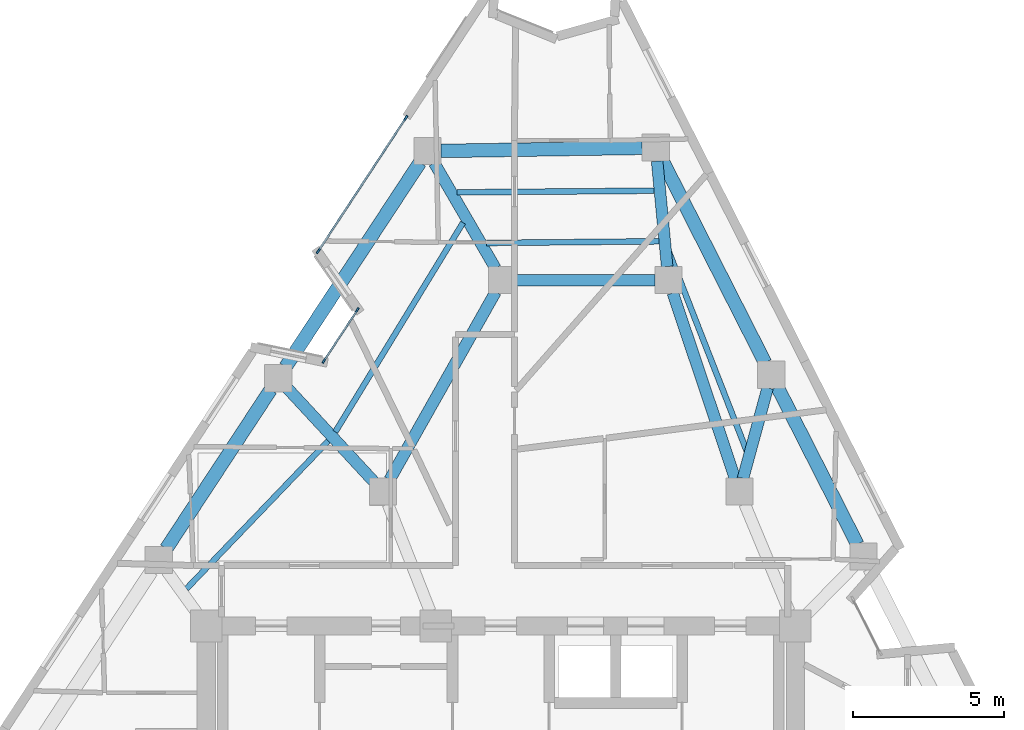
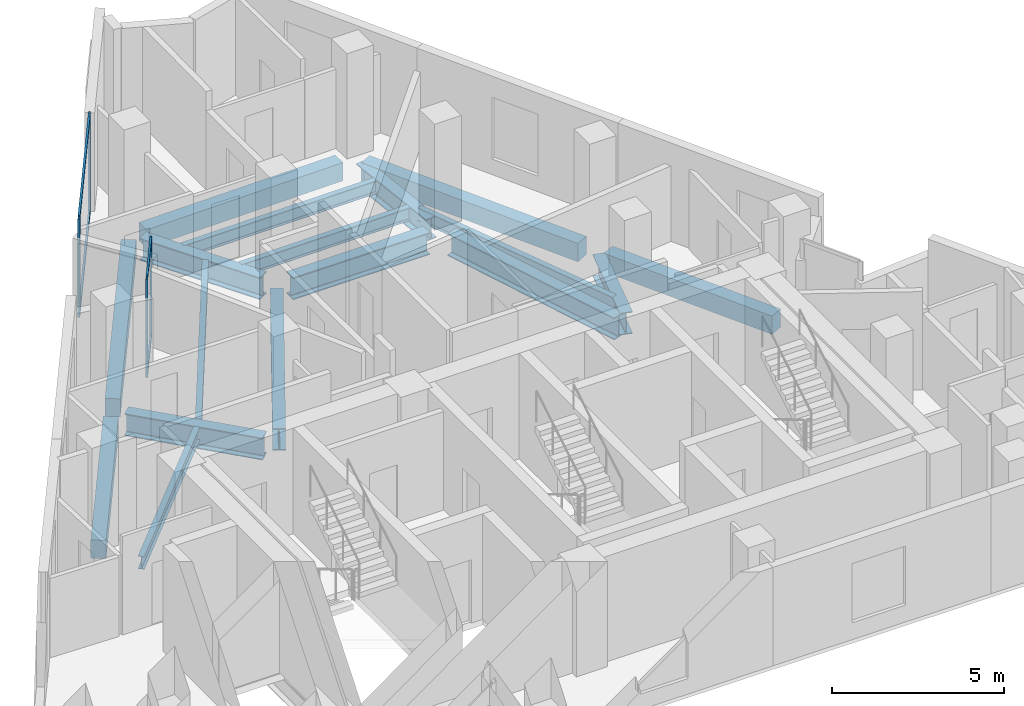
# One storey, part 3 of 10: 17 beams, 8 members, 2 elements without a shape of their own.
"""IFC4 building model written with IfcOpenShell, lengths in metres."""

from ifc_helpers import new_model, si_unit, direction, frame, origin, origin_2d, place, context, subcontext, project, spatial, rectangle, i_section, extrude, material, layer, layer_set, material_profile, profile_set, type_object, element, aggregate, save


model = new_model("IFC4")

# Units and contexts
model_context = context("Model", 3, precision=1e-05, world=origin(), true_north=direction((0.0, 1.0)))
body_context = subcontext(model_context, "Body", "Model", "MODEL_VIEW")
ifc_project = project(units=[si_unit("LENGTHUNIT", "METRE"), si_unit("AREAUNIT", "SQUARE_METRE"), si_unit("VOLUMEUNIT", "CUBIC_METRE"), si_unit("PLANEANGLEUNIT", "RADIAN"), si_unit("MASSUNIT", "GRAM", prefix="KILO")], contexts=[model_context])

# Site, building, storey
site_placement = place(None, origin())
site = spatial("IfcSite", under=ifc_project, at=site_placement, CompositionType="ELEMENT")
building_placement = place(site_placement, origin())
building = spatial("IfcBuilding", under=site, at=building_placement, Name="Almagre Mirador Tower", CompositionType="ELEMENT")
storey_placement = place(building_placement, frame((0.0, 0.0, 233.25)))
storey = spatial("IfcBuildingStorey", under=building, at=storey_placement, Name="L60", CompositionType="ELEMENT", Elevation=233.25)

# Beams
ifc_material_1 = material(Name="Steel ASTM A992 Grade 50", Category="steel")
ifc_material_profile_1 = material_profile(ifc_material_1, i_section(OverallWidth=0.19091796875, OverallDepth=0.4599609375, WebThickness=0.010009765625, FlangeThickness=0.01611328125, FilletRadius=0.01611328125, at=origin_2d()), Name="W18X55")
ifc_profile_set_1 = profile_set([ifc_material_profile_1], Name="Steel ASTM A992 Grade 50")
beam_type_1 = type_object("IfcBeamType", Name="BM-JST-W18X55", PredefinedType="JOIST", material=ifc_profile_set_1)
beam_1_placement = place(storey_placement, frame((45.444091796875, 20.5322265625, -0.47998046875), z_axis=(-0.363918331974, 0.931430860372, 0.0), x_axis=(-0.931430860372, -0.363918331974, 0.0)))
element("IfcBeam", 1, at=beam_1_placement, inside=storey, type_object=beam_type_1, Name="L60 secondary floor joist PC07-PC08.3", PredefinedType="JOIST", context=body_context, shape_type="SweptSolid", body=[
    extrude(i_section(OverallWidth=0.19091796875, OverallDepth=0.4599609375, WebThickness=0.010009765625, FlangeThickness=0.01611328125, FilletRadius=0.01611328125, at=origin_2d()), origin(), (0.0, 0.0, 1.0), 7.27294921875),
])
beam_2_placement = place(storey_placement, frame((42.375732421875, 29.158447265625, -0.47998046875), z_axis=(-0.999965144262, -0.008349267155, 0.0), x_axis=(0.008349267155, -0.999965144262, 0.0)))
element("IfcBeam", 2, at=beam_2_placement, inside=storey, type_object=beam_type_1, Name="L60 secondary floor joist PC08-PC09.1", PredefinedType="JOIST", context=body_context, shape_type="SweptSolid", body=[
    extrude(i_section(OverallWidth=0.19091796875, OverallDepth=0.4599609375, WebThickness=0.010009765625, FlangeThickness=0.01611328125, FilletRadius=0.01611328125, at=origin_2d()), origin(), (0.0, 0.0, 1.0), 6.520751953125),
])
beam_3_placement = place(storey_placement, frame((42.535400390625, 27.4833984375, -0.47998046875), z_axis=(-0.999954079437, -0.009583267608, 0.0), x_axis=(0.009583267608, -0.999954079437, 0.0)))
element("IfcBeam", 3, at=beam_3_placement, inside=storey, type_object=beam_type_1, Name="L60 secondary floor joist PC08-PC09.3", PredefinedType="JOIST", context=body_context, shape_type="SweptSolid", body=[
    extrude(i_section(OverallWidth=0.19091796875, OverallDepth=0.4599609375, WebThickness=0.010009765625, FlangeThickness=0.01611328125, FilletRadius=0.01611328125, at=origin_2d()), origin(), (0.0, 0.0, 1.0), 5.70654296875),
])
beam_4_placement = place(storey_placement, frame((36.050048828125, 28.100830078125, -0.47998046875), z_axis=(-0.521157852897, -0.85346030509, 0.0), x_axis=(0.85346030509, -0.521157852897, 0.0)))
element("IfcBeam", 4, at=beam_4_placement, inside=storey, type_object=beam_type_1, Name="L60 secondary floor joist PC09-PC10.2", PredefinedType="JOIST", context=body_context, shape_type="SweptSolid", body=[
    extrude(i_section(OverallWidth=0.19091796875, OverallDepth=0.4599609375, WebThickness=0.010009765625, FlangeThickness=0.01611328125, FilletRadius=0.01611328125, at=origin_2d()), origin(), (0.0, 0.0, 1.0), 8.11328125),
])
beam_5_placement = place(storey_placement, frame((31.5888671875, 20.874267578125, -0.47998046875), z_axis=(-0.692408884883, -0.721505326478, 0.0), x_axis=(0.721505326478, -0.692408884883, 0.0)))
element("IfcBeam", 5, at=beam_5_placement, inside=storey, type_object=beam_type_1, Name="L60 secondary floor joist PC10-PC11.2", PredefinedType="JOIST", context=body_context, shape_type="SweptSolid", body=[
    extrude(i_section(OverallWidth=0.19091796875, OverallDepth=0.4599609375, WebThickness=0.010009765625, FlangeThickness=0.01611328125, FilletRadius=0.01611328125, at=origin_2d()), origin(), (0.0, 0.0, 1.0), 6.77978515625),
])
ifc_material_2 = material(Name="Precast concrete C50/60", Category="concrete")
ifc_material_profile_2 = material_profile(ifc_material_2, rectangle(XDim=0.449951171875, YDim=0.64990234375, at=origin_2d()), Name="RC450X650")
ifc_profile_set_2 = profile_set([ifc_material_profile_2], Name="Precast concrete C50/60")
beam_type_2 = type_object("IfcBeamType", Name="BM-SPN-RC450X650", PredefinedType="SPANDREL", material=ifc_profile_set_2)
beam_6_placement = place(storey_placement, frame((49.104248046875, 17.4501953125, -0.574951171875), z_axis=(-0.452899170526, 0.891561742863, 0.0), x_axis=(-0.891561742863, -0.452899170526, 0.0)))
element("IfcBeam", 6, at=beam_6_placement, inside=storey, type_object=beam_type_2, Name="L60 perimeter spandrel beam PC06-PC07", PredefinedType="SPANDREL", context=body_context, shape_type="SweptSolid", body=[
    extrude(rectangle(XDim=0.449951171875, YDim=0.64990234375, at=origin_2d()), origin(), (0.0, 0.0, 1.0), 5.84765625),
])
beam_7_placement = place(storey_placement, frame((46.048095703125, 23.46630859375, -0.574951171875), z_axis=(-0.452894484788, 0.891564123128, 0.0), x_axis=(-0.891564123128, -0.452894484788, 0.0)))
element("IfcBeam", 7, at=beam_7_placement, inside=storey, type_object=beam_type_2, Name="L60 perimeter spandrel beam PC07-PC08", PredefinedType="SPANDREL", context=body_context, shape_type="SweptSolid", body=[
    extrude(rectangle(XDim=0.449951171875, YDim=0.64990234375, at=origin_2d()), origin(), (0.0, 0.0, 1.0), 7.534423828125),
])
beam_8_placement = place(storey_placement, frame((41.982177734375, 30.578125, -0.574951171875), z_axis=(-0.999882180075, -0.015350112976, 0.0), x_axis=(0.015350112976, -0.999882180075, 0.0)))
element("IfcBeam", 8, at=beam_8_placement, inside=storey, type_object=beam_type_2, Name="L60 perimeter spandrel beam PC08-PC09", PredefinedType="SPANDREL", context=body_context, shape_type="SweptSolid", body=[
    extrude(rectangle(XDim=0.449951171875, YDim=0.64990234375, at=origin_2d()), origin(), (0.0, 0.0, 1.0), 6.6640625),
])
beam_9_placement = place(storey_placement, frame((34.621826171875, 30.093017578125, -0.574951171875), z_axis=(-0.54903769876, -0.835797586345, 0.0), x_axis=(0.835797586345, -0.54903769876, 0.0)))
element("IfcBeam", 9, at=beam_9_placement, inside=storey, type_object=beam_type_2, Name="L60 perimeter spandrel beam PC09-PC10", PredefinedType="SPANDREL", context=body_context, shape_type="SweptSolid", body=[
    extrude(rectangle(XDim=0.449951171875, YDim=0.64990234375, at=origin_2d()), origin(), (0.0, 0.0, 1.0), 8.097412109375),
])
beam_10_placement = place(storey_placement, frame((29.681884765625, 22.572998046875, -0.574951171875), z_axis=(-0.549024719226, -0.835806112492, 0.0), x_axis=(0.835806112492, -0.549024719226, 0.0)))
element("IfcBeam", 10, at=beam_10_placement, inside=storey, type_object=beam_type_2, Name="L60 perimeter spandrel beam PC10-PC11", PredefinedType="SPANDREL", context=body_context, shape_type="SweptSolid", body=[
    extrude(rectangle(XDim=0.449951171875, YDim=0.64990234375, at=origin_2d()), origin(), (0.0, 0.0, 1.0), 6.298095703125),
])
ifc_material_3 = material(Name="Steel ASTM A992 Grade 50", Category="steel")
ifc_material_profile_3 = material_profile(ifc_material_3, i_section(OverallWidth=0.384033203125, OverallDepth=0.784912109375, WebThickness=0.019775390625, FlangeThickness=0.033447265625, FilletRadius=0.02392578125, at=origin_2d()), Name="W30X211")
ifc_profile_set_3 = profile_set([ifc_material_profile_3], Name="Steel ASTM A992 Grade 50")
beam_type_3 = type_object("IfcBeamType", Name="BM-STL-W30X211", PredefinedType="BEAM", material=ifc_profile_set_3)
beam_11_placement = place(storey_placement, frame((37.800048828125, 26.199951171875, -0.642578125), z_axis=(1.0, 0.0, 0.0), x_axis=(0.0, 1.0, 0.0)))
element("IfcBeam", 11, at=beam_11_placement, inside=storey, type_object=beam_type_3, Name="L60 core tie girder MC7-MC6", PredefinedType="BEAM", context=body_context, shape_type="SweptSolid", body=[
    extrude(i_section(OverallWidth=0.384033203125, OverallDepth=0.784912109375, WebThickness=0.019775390625, FlangeThickness=0.033447265625, FilletRadius=0.02392578125, at=origin_2d()), origin(), (0.0, 0.0, 1.0), 4.599853515625),
])
beam_12_placement = place(storey_placement, frame((42.9931640625, 25.7734375, -0.642578125), z_axis=(0.318282890726, -0.947995781357, 0.0), x_axis=(0.947995781357, 0.318282890726, 0.0)))
element("IfcBeam", 12, at=beam_12_placement, inside=storey, type_object=beam_type_3, Name="L60 core tie girder MC6-MC5", PredefinedType="BEAM", context=body_context, shape_type="SweptSolid", body=[
    extrude(i_section(OverallWidth=0.384033203125, OverallDepth=0.784912109375, WebThickness=0.019775390625, FlangeThickness=0.033447265625, FilletRadius=0.02392578125, at=origin_2d()), origin(), (0.0, 0.0, 1.0), 6.48388671875),
])
beam_13_placement = place(storey_placement, frame((37.12890625, 25.80810546875, -0.642578125), z_axis=(-0.491446261843, -0.870907900825, 0.0), x_axis=(0.870907900825, -0.491446261843, 0.0)))
element("IfcBeam", 13, at=beam_13_placement, inside=storey, type_object=beam_type_3, Name="L60 core tie girder MC7-MC8", PredefinedType="BEAM", context=body_context, shape_type="SweptSolid", body=[
    extrude(i_section(OverallWidth=0.384033203125, OverallDepth=0.784912109375, WebThickness=0.019775390625, FlangeThickness=0.033447265625, FilletRadius=0.02392578125, at=origin_2d()), origin(), (0.0, 0.0, 1.0), 7.1376953125),
])
beam_14_placement = place(storey_placement, frame((46.1337890625, 22.630859375, -0.642578125), z_axis=(-0.26264509324, -0.964892509556, 0.0), x_axis=(0.964892509556, -0.26264509324, 0.0)))
element("IfcBeam", 14, at=beam_14_placement, inside=storey, type_object=beam_type_3, Name="L60 radial floor girder PC07-MC5", PredefinedType="BEAM", context=body_context, shape_type="SweptSolid", body=[
    extrude(i_section(OverallWidth=0.384033203125, OverallDepth=0.784912109375, WebThickness=0.019775390625, FlangeThickness=0.033447265625, FilletRadius=0.02392578125, at=origin_2d()), origin(), (0.0, 0.0, 1.0), 3.105712890625),
])
beam_15_placement = place(storey_placement, frame((42.474609375, 30.136962890625, -0.642578125), z_axis=(0.094943868269, -0.995482627612, 0.0), x_axis=(0.995482627612, 0.094943868269, 0.0)))
element("IfcBeam", 15, at=beam_15_placement, inside=storey, type_object=beam_type_3, Name="L60 radial floor girder PC08-MC6", PredefinedType="BEAM", context=body_context, shape_type="SweptSolid", body=[
    extrude(i_section(OverallWidth=0.384033203125, OverallDepth=0.784912109375, WebThickness=0.019775390625, FlangeThickness=0.033447265625, FilletRadius=0.02392578125, at=origin_2d()), origin(), (0.0, 0.0, 1.0), 3.5048828125),
])
beam_16_placement = place(storey_placement, frame((35.09521484375, 30.079833984375, -0.642578125), z_axis=(0.502449130804, -0.864606772443, 0.0), x_axis=(0.864606772443, 0.502449130804, 0.0)))
element("IfcBeam", 16, at=beam_16_placement, inside=storey, type_object=beam_type_3, Name="L60 radial floor girder PC09-MC7", PredefinedType="BEAM", context=body_context, shape_type="SweptSolid", body=[
    extrude(i_section(OverallWidth=0.384033203125, OverallDepth=0.784912109375, WebThickness=0.019775390625, FlangeThickness=0.033447265625, FilletRadius=0.02392578125, at=origin_2d()), origin(), (0.0, 0.0, 1.0), 4.037353515625),
])
beam_17_placement = place(storey_placement, frame((30.234619140625, 22.618896484375, -0.642578125), z_axis=(0.679380272184, -0.733786376112, 0.0), x_axis=(0.733786376112, 0.679380272184, 0.0)))
element("IfcBeam", 17, at=beam_17_placement, inside=storey, type_object=beam_type_3, Name="L60 radial floor girder PC10-MC8", PredefinedType="BEAM", context=body_context, shape_type="SweptSolid", body=[
    extrude(i_section(OverallWidth=0.384033203125, OverallDepth=0.784912109375, WebThickness=0.019775390625, FlangeThickness=0.033447265625, FilletRadius=0.02392578125, at=origin_2d()), origin(), (0.0, 0.0, 1.0), 4.209228515625),
])

# Curtain wall, members
ifc_material_4 = material(Name="Black anodized aluminium", Category="aluminium")
ifc_layer_1 = layer(ifc_material_4, 0.169921875)
ifc_layer_set_1 = layer_set([ifc_layer_1], Name="Black anodized aluminium")
curtain_wall_type_1 = type_object("IfcCurtainWallType", Name="CW-CRS-SYS", PredefinedType="NOTDEFINED", material=ifc_layer_set_1)
curtain_wall_1_placement = place(storey_placement, origin())
curtain_wall_1 = element("IfcCurtainWall", 18, at=curtain_wall_1_placement, inside=storey, type_object=curtain_wall_type_1, Name="L60 vertical crease curtain wall 01", PredefinedType="NOTDEFINED")
ifc_material_5 = material(Name="Black anodized aluminium", Category="aluminium")
ifc_material_profile_4 = material_profile(ifc_material_5, rectangle(XDim=0.06005859375, YDim=0.14990234375, at=origin_2d()), Name="CWM60X150")
ifc_profile_set_4 = profile_set([ifc_material_profile_4], Name="Black anodized aluminium")
member_type_1 = type_object("IfcMemberType", Name="MBR-CWM60X150", PredefinedType="MULLION", material=ifc_profile_set_4)
member_1_placement = place(storey_placement, frame((31.4384765625, 23.51708984375, 0.0), z_axis=(0.0, 0.0, 1.0), x_axis=(-0.835711752454, 0.549168341049, 0.0)))
member_1 = element("IfcMember", 19, at=member_1_placement, type_object=member_type_1, Name="CW-4 mullion 1", PredefinedType="MULLION", context=body_context, shape_type="SweptSolid", body=[
    extrude(rectangle(XDim=0.06005859375, YDim=0.14990234375, at=origin_2d()), origin(), (0.0, 0.0, 1.0), 3.5),
])
member_2_placement = place(storey_placement, frame((32.553466796875, 25.2138671875, 0.0), z_axis=(0.0, 0.0, 1.0), x_axis=(-0.835711752454, 0.549168341049, 0.0)))
member_2 = element("IfcMember", 20, at=member_2_placement, type_object=member_type_1, Name="CW-4 mullion 2", PredefinedType="MULLION", context=body_context, shape_type="SweptSolid", body=[
    extrude(rectangle(XDim=0.06005859375, YDim=0.14990234375, at=origin_2d()), origin(), (0.0, 0.0, 1.0), 3.5),
])

ifc_material_6 = material(Name="Black anodized aluminium", Category="aluminium")
ifc_layer_2 = layer(ifc_material_6, 0.199951171875)
ifc_layer_set_2 = layer_set([ifc_layer_2], Name="Black anodized aluminium")
curtain_wall_type_2 = type_object("IfcCurtainWallType", Name="CW-RES-H-SYS", PredefinedType="NOTDEFINED", material=ifc_layer_set_2)
curtain_wall_2_placement = place(storey_placement, origin())
curtain_wall_2 = element("IfcCurtainWall", 21, at=curtain_wall_2_placement, inside=storey, type_object=curtain_wall_type_2, Name="L60 curtain wall run 02", PredefinedType="NOTDEFINED")
ifc_material_7 = material(Name="Black anodized aluminium", Category="aluminium")
ifc_material_profile_5 = material_profile(ifc_material_7, rectangle(XDim=0.06494140625, YDim=0.179931640625, at=origin_2d()), Name="CWM65X180")
ifc_profile_set_5 = profile_set([ifc_material_profile_5], Name="Black anodized aluminium")
member_type_2 = type_object("IfcMemberType", Name="MBR-CWM65X180", PredefinedType="MULLION", material=ifc_profile_set_5)
member_3_placement = place(storey_placement, frame((31.259765625, 27.1611328125, 0.0), z_axis=(0.0, 0.0, 1.0), x_axis=(-0.835777937756, 0.549067608552, 0.0)))
member_3 = element("IfcMember", 22, at=member_3_placement, type_object=member_type_2, Name="CW-3 mullion 1", PredefinedType="MULLION", context=body_context, shape_type="SweptSolid", body=[
    extrude(rectangle(XDim=0.06494140625, YDim=0.179931640625, at=origin_2d()), origin(), (0.0, 0.0, 1.0), 3.5),
])
member_4_placement = place(storey_placement, frame((34.1552734375, 31.568359375, 0.0), z_axis=(0.0, 0.0, 1.0), x_axis=(-0.835777937756, 0.549067608552, 0.0)))
member_4 = element("IfcMember", 23, at=member_4_placement, type_object=member_type_2, Name="CW-3 mullion 2", PredefinedType="MULLION", context=body_context, shape_type="SweptSolid", body=[
    extrude(rectangle(XDim=0.06494140625, YDim=0.179931640625, at=origin_2d()), origin(), (0.0, 0.0, 1.0), 3.5),
])

# Member
ifc_material_8 = material(Name="Black anodized aluminium", Category="aluminium")
ifc_material_profile_6 = material_profile(ifc_material_8, rectangle(XDim=0.06005859375, YDim=0.1298828125, at=origin_2d()), Name="CWT60X130")
ifc_profile_set_6 = profile_set([ifc_material_profile_6], Name="Black anodized aluminium")
member_type_3 = type_object("IfcMemberType", Name="MBR-CWT60X130", PredefinedType="USERDEFINED", material=ifc_profile_set_6)
member_5_placement = place(storey_placement, frame((31.454833984375, 23.542236328125, 0.030029296875), z_axis=(0.549227330754, 0.835672985774, 0.0), x_axis=(-0.835672985774, 0.549227330754, 0.0)))
member_5 = element("IfcMember", 24, at=member_5_placement, type_object=member_type_3, Name="CW-4 transom 1.1", ObjectType="TRANSOM", PredefinedType="USERDEFINED", context=body_context, shape_type="SweptSolid", body=[
    extrude(rectangle(XDim=0.06005859375, YDim=0.1298828125, at=origin_2d()), origin(), (0.0, 0.0, 1.0), 1.970458984375),
])

member_6_placement = place(storey_placement, frame((31.454833984375, 23.542236328125, 3.469970703125), z_axis=(0.549227330754, 0.835672985774, 0.0), x_axis=(-0.835672985774, 0.549227330754, 0.0)))
member_6 = element("IfcMember", 25, at=member_6_placement, type_object=member_type_3, Name="CW-4 transom 1.2", ObjectType="TRANSOM", PredefinedType="USERDEFINED", context=body_context, shape_type="SweptSolid", body=[
    extrude(rectangle(XDim=0.06005859375, YDim=0.1298828125, at=origin_2d()), origin(), (0.0, 0.0, 1.0), 1.970458984375),
])

aggregate(curtain_wall_1, [member_1, member_2, member_5, member_6])

ifc_material_9 = material(Name="Black anodized aluminium", Category="aluminium")
ifc_material_profile_7 = material_profile(ifc_material_9, rectangle(XDim=0.06494140625, YDim=0.14990234375, at=origin_2d()), Name="CWT65X150")
ifc_profile_set_7 = profile_set([ifc_material_profile_7], Name="Black anodized aluminium")
member_type_4 = type_object("IfcMemberType", Name="MBR-CWT65X150", PredefinedType="USERDEFINED", material=ifc_profile_set_7)
member_7_placement = place(storey_placement, frame((31.277587890625, 27.188232421875, 0.032470703125), z_axis=(0.54905160543, 0.83578845085, 0.0), x_axis=(-0.83578845085, 0.54905160543, 0.0)))
member_7 = element("IfcMember", 26, at=member_7_placement, type_object=member_type_4, Name="CW-3 transom 1.1", ObjectType="TRANSOM", PredefinedType="USERDEFINED", context=body_context, shape_type="SweptSolid", body=[
    extrude(rectangle(XDim=0.06494140625, YDim=0.14990234375, at=origin_2d()), origin(), (0.0, 0.0, 1.0), 5.208251953125),
])

member_8_placement = place(storey_placement, frame((31.277587890625, 27.188232421875, 3.467529296875), z_axis=(0.54905160543, 0.83578845085, 0.0), x_axis=(-0.83578845085, 0.54905160543, 0.0)))
member_8 = element("IfcMember", 27, at=member_8_placement, type_object=member_type_4, Name="CW-3 transom 1.2", ObjectType="TRANSOM", PredefinedType="USERDEFINED", context=body_context, shape_type="SweptSolid", body=[
    extrude(rectangle(XDim=0.06494140625, YDim=0.14990234375, at=origin_2d()), origin(), (0.0, 0.0, 1.0), 5.208251953125),
])

aggregate(curtain_wall_2, [member_3, member_4, member_7, member_8])

save(model, "model.ifc")
